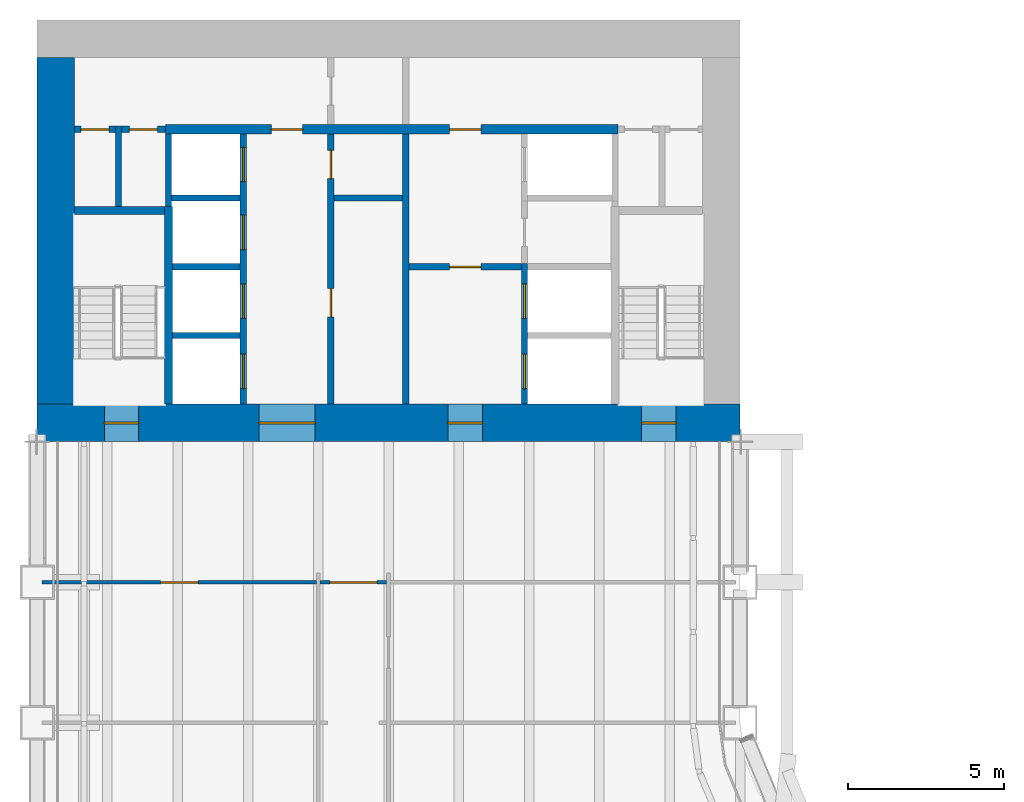
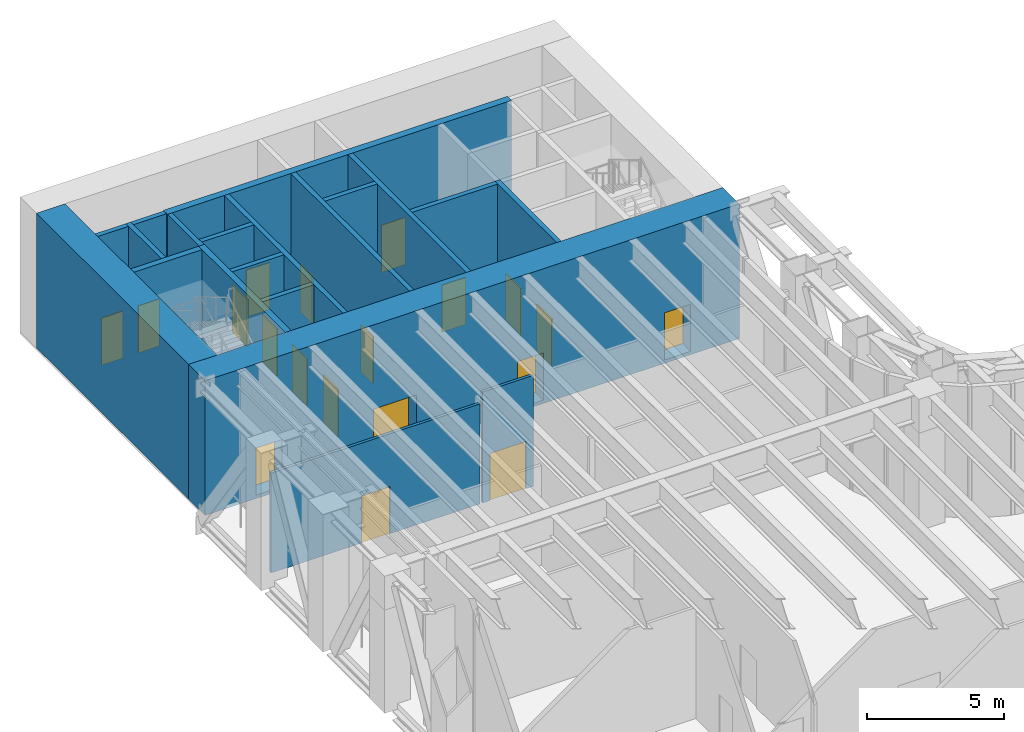
# One storey, part 10 of 19: 20 walls, 19 doors, 19 openings.
"""IFC4 building model written with IfcOpenShell, lengths in metres."""

import ifcopenshell
import ifcopenshell.guid

model = None  # the IFC model being written
_history = None  # IfcOwnerHistory: only IFC2X3 demands one
_inside = {}  # id of a spatial element -> (the spatial element, [elements in it])
_under = {}  # id of a project, library or spatial element -> (it, [spatial elements below it])
_declared = {}  # id of a project -> (the project, [libraries it declares])
_typed = {}  # id of a type object -> (the type object, [elements of that type])
_made_of = {}  # id of a material, layer set ... -> (it, [elements and type objects made of it])


def new_model(schema):
    """Start an empty IFC model of exactly this schema.

    Asked for "IFC4X3", IfcOpenShell would pick the latest addendum, in which some entities
    have other attributes; the version numbers below select the first issue.
    IFC2X3 requires an IfcOwnerHistory on every rooted entity: one is made here for all.
    """
    global model, _history
    if schema == "IFC4X3":
        model = ifcopenshell.file(schema_version=(4, 3, 0, 0))
    else:
        model = ifcopenshell.file(schema=schema)
    _inside.clear()
    _under.clear()
    _declared.clear()
    _typed.clear()
    _made_of.clear()
    _history = None
    if model.schema == "IFC2X3":
        org = make("IfcOrganization", Name="unknown")
        user = make(
            "IfcPersonAndOrganization",
            ThePerson=make("IfcPerson", FamilyName="unknown"),
            TheOrganization=org,
        )
        app = make(
            "IfcApplication",
            ApplicationDeveloper=org,
            Version="unknown",
            ApplicationFullName="unknown",
            ApplicationIdentifier="unknown",
        )
        _history = make(
            "IfcOwnerHistory",
            OwningUser=user,
            OwningApplication=app,
            ChangeAction="ADDED",
            CreationDate=0,
        )
    return model


def make(cls, **values):
    """One entity of the class cls with the attributes given. An attribute that is None is left unset."""
    return model.create_entity(
        cls, **{name: value for name, value in values.items() if value is not None}
    )


def rooted(cls, **values):
    """An entity with a GlobalId (a new one), such as an element, a storey or a relation."""
    return make(cls, GlobalId=ifcopenshell.guid.new(), OwnerHistory=_history, **values)


def si_unit(unit_type, name, prefix=None):
    """IfcSIUnit, for example si_unit("LENGTHUNIT", "METRE", prefix="MILLI")."""
    return make("IfcSIUnit", UnitType=unit_type, Prefix=prefix, Name=name)


def assignment(units):
    """IfcUnitAssignment: the units of a project."""
    return None if units is None else make("IfcUnitAssignment", Units=units)


def point(xyz):
    """IfcCartesianPoint."""
    return None if xyz is None else make("IfcCartesianPoint", Coordinates=xyz)


def direction(xyz):
    """IfcDirection."""
    return None if xyz is None else make("IfcDirection", DirectionRatios=xyz)


def frame(location, z_axis=None, x_axis=None):
    """IfcAxis2Placement3D, a coordinate frame: its origin and axes. An axis left out is left unset."""
    return make(
        "IfcAxis2Placement3D",
        Location=point(location),
        Axis=direction(z_axis),
        RefDirection=direction(x_axis),
    )


def frame_2d(location, x_axis=None):
    """IfcAxis2Placement2D, a coordinate frame in the plane: its origin and x axis."""
    return make(
        "IfcAxis2Placement2D", Location=point(location), RefDirection=direction(x_axis)
    )


def origin():
    """The frame at (0, 0, 0) with its axes left unset."""
    return frame((0.0, 0.0, 0.0))


def place(relative_to, where):
    """IfcLocalPlacement: puts the frame where relative to a parent placement (None: the world)."""
    return make(
        "IfcLocalPlacement", PlacementRelTo=relative_to, RelativePlacement=where
    )


def context(
    kind, dimensions, precision=None, world=None, true_north=None, identifier=None
):
    """IfcGeometricRepresentationContext, for example the 3D "Model" context."""
    return make(
        "IfcGeometricRepresentationContext",
        ContextIdentifier=identifier,
        ContextType=kind,
        CoordinateSpaceDimension=dimensions,
        Precision=precision,
        WorldCoordinateSystem=world,
        TrueNorth=true_north,
    )


def subcontext(parent, identifier, kind, view, scale=None):
    """IfcGeometricRepresentationSubContext, for example "Body" below "Model"."""
    return make(
        "IfcGeometricRepresentationSubContext",
        ContextIdentifier=identifier,
        ContextType=kind,
        ParentContext=parent,
        TargetScale=scale,
        TargetView=view,
    )


def project(units=None, contexts=None):
    """IfcProject with its units and contexts."""
    return rooted(
        "IfcProject",
        Name="project",
        RepresentationContexts=contexts,
        UnitsInContext=assignment(units),
    )


def spatial(cls, under=None, at=None, **own):
    """A site, building, storey or space (cls), placed at a placement, below another one or the project."""
    s = rooted(cls, ObjectPlacement=at, **own)
    if under is not None:
        _under.setdefault(under.id(), (under, []))[1].append(s)
    return s


def profile(cls, at=None, kind="AREA", **sizes):
    """A parametric profile (cls). Its sizes go by their IFC names, for example OverallWidth=200.0."""
    return make(cls, ProfileType=kind, Position=at, **sizes)


def rectangle(**sizes):
    """IfcRectangleProfileDef."""
    return profile("IfcRectangleProfileDef", **sizes)


def extrude(swept, where, along, depth):
    """IfcExtrudedAreaSolid: the profile swept, set in the frame where, extruded along a direction by depth."""
    return make(
        "IfcExtrudedAreaSolid",
        SweptArea=swept,
        Position=where,
        ExtrudedDirection=direction(along),
        Depth=depth,
    )


def shape(context_of_items, identifier, shape_type, items):
    """IfcShapeRepresentation: the items that make up one representation, for example the "Body"."""
    return make(
        "IfcShapeRepresentation",
        ContextOfItems=context_of_items,
        RepresentationIdentifier=identifier,
        RepresentationType=shape_type,
        Items=items,
    )


def material(Name=None, Category=None):
    """IfcMaterial."""
    return make("IfcMaterial", Name=Name, Category=Category)


def layer(
    of_material, thickness, ventilated=None, Name=None, Category=None, Priority=None
):
    """IfcMaterialLayer: one layer of a wall or slab, of a material (None: an air gap)."""
    return make(
        "IfcMaterialLayer",
        Material=of_material,
        LayerThickness=thickness,
        IsVentilated=ventilated,
        Name=Name,
        Category=Category,
        Priority=Priority,
    )


def layer_set(layers, Name=None):
    """IfcMaterialLayerSet."""
    return make("IfcMaterialLayerSet", MaterialLayers=layers, LayerSetName=Name)


def made_of(thing, what):
    """Note that an element or type object is made of a material, layer set ...; save() writes the relation."""
    if what is not None:
        _made_of.setdefault(what.id(), (what, []))[1].append(thing)
    return thing


def type_object(cls, material=None, **own):
    """A type object (cls), such as IfcWallType, which elements share."""
    return made_of(rooted(cls, **own), material)


def element(
    cls,
    number,
    at=None,
    inside=None,
    cuts=None,
    type_object=None,
    material=None,
    context=None,
    identifier="Body",
    shape_type=None,
    held_by="IfcProductDefinitionShape",
    body=None,
    shapes=None,
    **own,
):
    """One element of the class cls, such as IfcWall. Its Tag is "e" and its number.

    at: its placement. inside: the storey or other place that contains it. cuts: it is an
    opening in that element (IfcRelVoidsElement). A single representation is given by context,
    identifier, shape_type and body (its items); several are given by shapes. held_by: the class
    of the entity that holds the representations. save() writes the other relations.
    """
    e = rooted(cls, Tag="e%d" % number, ObjectPlacement=at, **own)
    if body is not None:
        shapes = [shape(context, identifier, shape_type, body)]
    if shapes is not None:
        e.Representation = make(held_by, Representations=shapes)
    if inside is not None:
        _inside.setdefault(inside.id(), (inside, []))[1].append(e)
    if cuts is not None:
        rooted(
            "IfcRelVoidsElement", RelatingBuildingElement=cuts, RelatedOpeningElement=e
        )
    if type_object is not None:
        _typed.setdefault(type_object.id(), (type_object, []))[1].append(e)
    return made_of(e, material)


def fill(opening, filler):
    """IfcRelFillsElement: the door or window that sits in an opening."""
    return rooted(
        "IfcRelFillsElement",
        RelatingOpeningElement=opening,
        RelatedBuildingElement=filler,
    )


def aggregate(whole, parts):
    """IfcRelAggregates: a whole, such as a stair, and the parts it consists of."""
    return rooted("IfcRelAggregates", RelatingObject=whole, RelatedObjects=parts)


def save(model, path):
    """Write the relations noted so far, then the file.

    IfcRelAggregates (storeys below a building ...), IfcRelContainedInSpatialStructure (elements
    in a storey), IfcRelDefinesByType, IfcRelAssociatesMaterial and IfcRelDeclares: one each for
    every whole, place, type object, material and project.
    """
    for whole, parts in _under.values():
        aggregate(whole, parts)
    for where, things in _inside.values():
        rooted(
            "IfcRelContainedInSpatialStructure",
            RelatedElements=things,
            RelatingStructure=where,
        )
    for kind, things in _typed.values():
        rooted("IfcRelDefinesByType", RelatedObjects=things, RelatingType=kind)
    for what, things in _made_of.values():
        rooted("IfcRelAssociatesMaterial", RelatedObjects=things, RelatingMaterial=what)
    for by, libraries in _declared.values():
        rooted("IfcRelDeclares", RelatingContext=by, RelatedDefinitions=libraries)
    model.write(path)


model = new_model("IFC4")

# Units and contexts
model_context = context("Model", 3, precision=1e-05, world=origin(), true_north=direction((0.0, 1.0)))
body_context = subcontext(model_context, "Body", "Model", "MODEL_VIEW")
ifc_project = project(units=[si_unit("LENGTHUNIT", "METRE"), si_unit("AREAUNIT", "SQUARE_METRE"), si_unit("VOLUMEUNIT", "CUBIC_METRE"), si_unit("PLANEANGLEUNIT", "RADIAN"), si_unit("MASSUNIT", "GRAM", prefix="KILO")], contexts=[model_context])

# Site, building, storey
site_placement = place(None, origin())
site = spatial("IfcSite", under=ifc_project, at=site_placement, CompositionType="ELEMENT")
building_placement = place(site_placement, origin())
building = spatial("IfcBuilding", under=site, at=building_placement, Name="Sennacour Bend Tower", CompositionType="ELEMENT")
storey_placement = place(building_placement, frame((0.0, 0.0, 77.0)))
storey = spatial("IfcBuildingStorey", under=building, at=storey_placement, Name="L17", CompositionType="ELEMENT", Elevation=77.0)

# Wall, openings, doors
ifc_material_1 = material(Name="Concrete C80/95", Category="concrete")
ifc_layer_1 = layer(ifc_material_1, 1.199951171875, Name="Concrete C80/95", Category="concrete")
ifc_layer_set_1 = layer_set([ifc_layer_1], Name="Concrete C80/95")
wall_type_1 = type_object("IfcWallType", Name="Core wall 1200 C80/95", PredefinedType="SHEAR", material=ifc_layer_set_1)
wall_1_placement = place(storey_placement, frame((0.0, 36.60009765625, -0.14990234375), z_axis=(0.0, 0.0, 1.0), x_axis=(1.0, 0.0, 0.0)))
wall_1 = element("IfcWall", 1, at=wall_1_placement, inside=storey, type_object=wall_type_1, Name="Core B wall L17 S", PredefinedType="SHEAR", context=body_context, shape_type="SweptSolid", body=[
    extrude(rectangle(XDim=22.5, YDim=1.199951171875, at=frame_2d((11.25, 0.0))), origin(), (0.0, 0.0, 1.0), 6.0),
])
opening_1_placement = place(wall_1_placement, frame((7.10009765625, 0.0, 0.14990234375)))
opening_1 = element("IfcOpeningElement", 2, at=opening_1_placement, cuts=wall_1, Name="Opening CD", PredefinedType="OPENING", context=body_context, shape_type="SweptSolid", body=[
    extrude(rectangle(XDim=1.800048828125, YDim=2.10009765625, at=frame_2d((0.89990234375, 1.050048828125))), frame((0.0, 0.60986328125, 0.0), z_axis=(0.0, -1.0, 0.0), x_axis=(1.0, 0.0, 0.0)), (0.0, 0.0, 1.0), 1.219970703125),
])
opening_2_placement = place(wall_1_placement, frame((13.14990234375, 0.0, 0.14990234375)))
opening_2 = element("IfcOpeningElement", 3, at=opening_2_placement, cuts=wall_1, Name="Opening FD", PredefinedType="OPENING", context=body_context, shape_type="SweptSolid", body=[
    extrude(rectangle(XDim=1.10009765625, YDim=2.10009765625, at=frame_2d((0.550048828125, 1.050048828125))), frame((0.0, 0.60986328125, 0.0), z_axis=(0.0, -1.0, 0.0), x_axis=(1.0, 0.0, 0.0)), (0.0, 0.0, 1.0), 1.219970703125),
])
opening_3_placement = place(wall_1_placement, frame((2.14990234375, 0.0, 0.14990234375)))
opening_3 = element("IfcOpeningElement", 4, at=opening_3_placement, cuts=wall_1, Name="Opening SD", PredefinedType="OPENING", context=body_context, shape_type="SweptSolid", body=[
    extrude(rectangle(XDim=1.10009765625, YDim=2.10009765625, at=frame_2d((0.550048828125, 1.050048828125))), frame((0.0, 0.60986328125, 0.0), z_axis=(0.0, -1.0, 0.0), x_axis=(1.0, 0.0, 0.0)), (0.0, 0.0, 1.0), 1.219970703125),
])
opening_4_placement = place(wall_1_placement, frame((19.35009765625, 0.0, 0.14990234375)))
opening_4 = element("IfcOpeningElement", 5, at=opening_4_placement, cuts=wall_1, Name="Opening SD", PredefinedType="OPENING", context=body_context, shape_type="SweptSolid", body=[
    extrude(rectangle(XDim=1.10009765625, YDim=2.10009765625, at=frame_2d((0.550048828125, 1.050048828125))), frame((0.0, 0.60986328125, 0.0), z_axis=(0.0, -1.0, 0.0), x_axis=(1.0, 0.0, 0.0)), (0.0, 0.0, 1.0), 1.219970703125),
])
ifc_material_2 = material(Name="Painted steel", Category="steel")
door_type_1 = type_object("IfcDoorType", Name="DR-FFL-1100", OperationType="NOTDEFINED", PredefinedType="DOOR", material=ifc_material_2)
door_1_placement = place(opening_2_placement, origin())
door_1 = element("IfcDoor", 6, at=door_1_placement, inside=storey, type_object=door_type_1, Name="Door", OperationType="SINGLE_SWING_RIGHT", OverallHeight=2.10009765625, OverallWidth=1.10009765625, PredefinedType="DOOR", context=body_context, shape_type="SweptSolid", body=[
    extrude(rectangle(XDim=1.10009765625, YDim=2.10009765625, at=frame_2d((0.550048828125, 1.050048828125))), frame((0.0, 0.02490234375, 0.0), z_axis=(0.0, -1.0, 0.0), x_axis=(1.0, 0.0, 0.0)), (0.0, 0.0, 1.0), 0.050048828125),
])
fill(opening_2, door_1)
door_type_2 = type_object("IfcDoorType", Name="DR-LOBBY-1800", OperationType="NOTDEFINED", PredefinedType="DOOR", material=ifc_material_2)
door_2_placement = place(opening_1_placement, origin())
door_2 = element("IfcDoor", 7, at=door_2_placement, inside=storey, type_object=door_type_2, Name="Door", OperationType="DOUBLE_DOOR_SINGLE_SWING", OverallHeight=2.10009765625, OverallWidth=1.800048828125, PredefinedType="DOOR", context=body_context, shape_type="SweptSolid", body=[
    extrude(rectangle(XDim=1.800048828125, YDim=2.10009765625, at=frame_2d((0.89990234375, 1.050048828125))), frame((0.0, 0.02490234375, 0.0), z_axis=(0.0, -1.0, 0.0), x_axis=(1.0, 0.0, 0.0)), (0.0, 0.0, 1.0), 0.050048828125),
])
fill(opening_1, door_2)
door_type_3 = type_object("IfcDoorType", Name="DR-STAIR-1100", OperationType="NOTDEFINED", PredefinedType="DOOR", material=ifc_material_2)
door_3_placement = place(opening_3_placement, origin())
door_3 = element("IfcDoor", 8, at=door_3_placement, inside=storey, type_object=door_type_3, Name="Door", OperationType="SINGLE_SWING_LEFT", OverallHeight=2.10009765625, OverallWidth=1.10009765625, PredefinedType="DOOR", context=body_context, shape_type="SweptSolid", body=[
    extrude(rectangle(XDim=1.10009765625, YDim=2.10009765625, at=frame_2d((0.550048828125, 1.050048828125))), frame((0.0, 0.02490234375, 0.0), z_axis=(0.0, -1.0, 0.0), x_axis=(1.0, 0.0, 0.0)), (0.0, 0.0, 1.0), 0.050048828125),
])
fill(opening_3, door_3)
door_4_placement = place(opening_4_placement, origin())
door_4 = element("IfcDoor", 9, at=door_4_placement, inside=storey, type_object=door_type_3, Name="Door", OperationType="SINGLE_SWING_RIGHT", OverallHeight=2.10009765625, OverallWidth=1.10009765625, PredefinedType="DOOR", context=body_context, shape_type="SweptSolid", body=[
    extrude(rectangle(XDim=1.10009765625, YDim=2.10009765625, at=frame_2d((0.550048828125, 1.050048828125))), frame((0.0, 0.02490234375, 0.0), z_axis=(0.0, -1.0, 0.0), x_axis=(1.0, 0.0, 0.0)), (0.0, 0.0, 1.0), 0.050048828125),
])
fill(opening_4, door_4)

# Wall
wall_2_placement = place(storey_placement, frame((0.60009765625, 37.199951171875, -0.14990234375), z_axis=(0.0, 0.0, 1.0), x_axis=(0.0, 1.0, 0.0)))
element("IfcWall", 10, at=wall_2_placement, inside=storey, type_object=wall_type_1, Name="Core B wall L17 W", PredefinedType="SHEAR", context=body_context, shape_type="SweptSolid", body=[
    extrude(rectangle(XDim=11.10009765625, YDim=1.199951171875, at=frame_2d((5.550048828125, 0.0))), origin(), (0.0, 0.0, 1.0), 6.0),
])

# Wall, opening, door
ifc_material_3 = material(Name="Plasterboard partition on steel studs", Category="steel")
ifc_layer_2 = layer(ifc_material_3, 0.1201171875, Name="Plasterboard partition on steel studs", Category="steel")
ifc_layer_set_2 = layer_set([ifc_layer_2], Name="Plasterboard partition on steel studs")
wall_type_2 = type_object("IfcWallType", Name="Partition 120 EI 30", PredefinedType="PARTITIONING", material=ifc_layer_set_2)
wall_3_placement = place(storey_placement, frame((9.06005859375, 31.5, 0.0), z_axis=(0.0, 0.0, 1.0), x_axis=(1.0, 0.0, 0.0)))
wall_3 = element("IfcWall", 11, at=wall_3_placement, inside=storey, type_object=wall_type_2, Name="P-L17-W068ab", PredefinedType="PARTITIONING", context=body_context, shape_type="SweptSolid", body=[
    extrude(rectangle(XDim=2.1298828125, YDim=0.1201171875, at=frame_2d((1.06494140625, 0.0))), origin(), (0.0, 0.0, 1.0), 4.93798828125),
])
opening_5_placement = place(wall_3_placement, frame((0.31494140625, 0.0, 0.0)))
opening_5 = element("IfcOpeningElement", 12, at=opening_5_placement, cuts=wall_3, Name="Opening KD", PredefinedType="OPENING", context=body_context, shape_type="SweptSolid", body=[
    extrude(rectangle(XDim=1.5, YDim=2.10009765625, at=frame_2d((0.75, 1.050048828125))), frame((0.0, 0.070068359375, 0.0), z_axis=(0.0, -1.0, 0.0), x_axis=(1.0, 0.0, 0.0)), (0.0, 0.0, 1.0), 0.14013671875),
])
door_type_4 = type_object("IfcDoorType", Name="DR-CORRIDOR-1500", OperationType="NOTDEFINED", PredefinedType="DOOR", material=ifc_material_2)
door_5_placement = place(opening_5_placement, origin())
door_5 = element("IfcDoor", 13, at=door_5_placement, inside=storey, type_object=door_type_4, Name="Door", OperationType="SINGLE_SWING_LEFT", OverallHeight=2.10009765625, OverallWidth=1.5, PredefinedType="DOOR", context=body_context, shape_type="SweptSolid", body=[
    extrude(rectangle(XDim=1.5, YDim=2.10009765625, at=frame_2d((0.75, 1.050048828125))), frame((0.0, 0.02490234375, 0.0), z_axis=(0.0, -1.0, 0.0), x_axis=(1.0, 0.0, 0.0)), (0.0, 0.0, 1.0), 0.050048828125),
])
fill(opening_5, door_5)

ifc_layer_3 = layer(ifc_material_3, 0.1201171875, Name="Plasterboard partition on steel studs", Category="steel")
ifc_layer_set_3 = layer_set([ifc_layer_3], Name="Plasterboard partition on steel studs")
wall_type_3 = type_object("IfcWallType", Name="Partition 120 EI 60", PredefinedType="PARTITIONING", material=ifc_layer_set_3)
wall_4_placement = place(storey_placement, frame((0.14990234375, 31.5, 0.0), z_axis=(0.0, 0.0, 1.0), x_axis=(1.0, 0.0, 0.0)))
wall_4 = element("IfcWall", 14, at=wall_4_placement, inside=storey, type_object=wall_type_3, Name="P-L17-W068aa", PredefinedType="PARTITIONING", context=body_context, shape_type="SweptSolid", body=[
    extrude(rectangle(XDim=8.7900390625, YDim=0.1201171875, at=frame_2d((4.39501953125, 0.0))), origin(), (0.0, 0.0, 1.0), 4.449951171875),
])
opening_6_placement = place(wall_4_placement, frame((3.80517578125, 0.0, 0.0)))
opening_6 = element("IfcOpeningElement", 15, at=opening_6_placement, cuts=wall_4, Name="Opening CD3", PredefinedType="OPENING", context=body_context, shape_type="SweptSolid", body=[
    extrude(rectangle(XDim=1.199951171875, YDim=2.10009765625, at=frame_2d((0.60009765625, 1.050048828125))), frame((0.0, 0.070068359375, 0.0), z_axis=(0.0, -1.0, 0.0), x_axis=(1.0, 0.0, 0.0)), (0.0, 0.0, 1.0), 0.14013671875),
])
door_type_5 = type_object("IfcDoorType", Name="DR-LOBBY-1200", OperationType="NOTDEFINED", PredefinedType="DOOR", material=ifc_material_2)
door_6_placement = place(opening_6_placement, origin())
door_6 = element("IfcDoor", 16, at=door_6_placement, inside=storey, type_object=door_type_5, Name="Door", OperationType="SINGLE_SWING_LEFT", OverallHeight=2.10009765625, OverallWidth=1.199951171875, PredefinedType="DOOR", context=body_context, shape_type="SweptSolid", body=[
    extrude(rectangle(XDim=1.199951171875, YDim=2.10009765625, at=frame_2d((0.60009765625, 1.050048828125))), frame((0.0, 0.02490234375, 0.0), z_axis=(0.0, -1.0, 0.0), x_axis=(1.0, 0.0, 0.0)), (0.0, 0.0, 1.0), 0.050048828125),
])
fill(opening_6, door_6)

# Wall
ifc_material_4 = material(Name="Fire-rated plasterboard partition on steel studs", Category="steel")
ifc_layer_4 = layer(ifc_material_4, 0.199951171875, Name="Fire-rated plasterboard partition on steel studs", Category="steel")
ifc_layer_set_4 = layer_set([ifc_layer_4], Name="Fire-rated plasterboard partition on steel studs")
wall_type_4 = type_object("IfcWallType", Name="Rated partition 200", PredefinedType="PARTITIONING", material=ifc_layer_set_4)
wall_5_placement = place(storey_placement, frame((2.60009765625, 43.52490234375, 0.0), z_axis=(0.0, 0.0, 1.0), x_axis=(0.0, 1.0, 0.0)))
element("IfcWall", 17, at=wall_5_placement, inside=storey, type_object=wall_type_4, Name="P-L17-W003", PredefinedType="PARTITIONING", context=body_context, shape_type="SweptSolid", body=[
    extrude(rectangle(XDim=2.5751953125, YDim=0.199951171875, at=frame_2d((1.28759765625, 0.0))), origin(), (0.0, 0.0, 1.0), 5.85009765625),
])

# Wall, openings, doors
wall_6_placement = place(storey_placement, frame((9.39990234375, 37.199951171875, 0.0), z_axis=(0.0, 0.0, 1.0), x_axis=(0.0, 1.0, 0.0)))
wall_6 = element("IfcWall", 18, at=wall_6_placement, inside=storey, type_object=wall_type_4, Name="P-L17-W011a", PredefinedType="PARTITIONING", context=body_context, shape_type="SweptSolid", body=[
    extrude(rectangle(XDim=8.650146484375, YDim=0.199951171875, at=frame_2d((4.3251953125, 0.0))), origin(), (0.0, 0.0, 1.0), 5.85009765625),
])
opening_7_placement = place(wall_6_placement, frame((2.800048828125, 0.0, 0.0)))
opening_7 = element("IfcOpeningElement", 19, at=opening_7_placement, cuts=wall_6, Name="Opening SV", PredefinedType="OPENING", context=body_context, shape_type="SweptSolid", body=[
    extrude(rectangle(XDim=0.89990234375, YDim=2.10009765625, at=frame_2d((0.449951171875, 1.050048828125))), frame((0.0, 0.10986328125, 0.0), z_axis=(0.0, -1.0, 0.0), x_axis=(1.0, 0.0, 0.0)), (0.0, 0.0, 1.0), 0.219970703125),
])
opening_8_placement = place(wall_6_placement, frame((7.22509765625, 0.0, 0.0)))
opening_8 = element("IfcOpeningElement", 20, at=opening_8_placement, cuts=wall_6, Name="Opening SV", PredefinedType="OPENING", context=body_context, shape_type="SweptSolid", body=[
    extrude(rectangle(XDim=0.89990234375, YDim=2.10009765625, at=frame_2d((0.449951171875, 1.050048828125))), frame((0.0, 0.10986328125, 0.0), z_axis=(0.0, -1.0, 0.0), x_axis=(1.0, 0.0, 0.0)), (0.0, 0.0, 1.0), 0.219970703125),
])
door_type_6 = type_object("IfcDoorType", Name="DR-SERVICE-900", OperationType="NOTDEFINED", PredefinedType="DOOR", material=ifc_material_2)
door_7_placement = place(opening_7_placement, origin())
door_7 = element("IfcDoor", 21, at=door_7_placement, inside=storey, type_object=door_type_6, Name="Door", OperationType="SINGLE_SWING_LEFT", OverallHeight=2.10009765625, OverallWidth=0.89990234375, PredefinedType="DOOR", context=body_context, shape_type="SweptSolid", body=[
    extrude(rectangle(XDim=0.89990234375, YDim=2.10009765625, at=frame_2d((0.449951171875, 1.050048828125))), frame((0.0, 0.02490234375, 0.0), z_axis=(0.0, -1.0, 0.0), x_axis=(1.0, 0.0, 0.0)), (0.0, 0.0, 1.0), 0.050048828125),
])
fill(opening_7, door_7)
door_8_placement = place(opening_8_placement, origin())
door_8 = element("IfcDoor", 22, at=door_8_placement, inside=storey, type_object=door_type_6, Name="Door", OperationType="SINGLE_SWING_RIGHT", OverallHeight=2.10009765625, OverallWidth=0.89990234375, PredefinedType="DOOR", context=body_context, shape_type="SweptSolid", body=[
    extrude(rectangle(XDim=0.89990234375, YDim=2.10009765625, at=frame_2d((0.449951171875, 1.050048828125))), frame((0.0, 0.02490234375, 0.0), z_axis=(0.0, -1.0, 0.0), x_axis=(1.0, 0.0, 0.0)), (0.0, 0.0, 1.0), 0.050048828125),
])
fill(opening_8, door_8)

# Walls
wall_7_placement = place(storey_placement, frame((11.800048828125, 37.199951171875, 0.0), z_axis=(0.0, 0.0, 1.0), x_axis=(0.0, 1.0, 0.0)))
element("IfcWall", 23, at=wall_7_placement, inside=storey, type_object=wall_type_4, Name="P-L17-W013a", PredefinedType="PARTITIONING", context=body_context, shape_type="SweptSolid", body=[
    extrude(rectangle(XDim=8.650146484375, YDim=0.199951171875, at=frame_2d((4.3251953125, 0.0))), origin(), (0.0, 0.0, 1.0), 5.85009765625),
])
wall_8_placement = place(storey_placement, frame((9.5, 43.800048828125, 0.0), z_axis=(0.0, 0.0, 1.0), x_axis=(1.0, 0.0, 0.0)))
element("IfcWall", 24, at=wall_8_placement, inside=storey, type_object=wall_type_4, Name="P-L17-W077", PredefinedType="PARTITIONING", context=body_context, shape_type="SweptSolid", body=[
    extrude(rectangle(XDim=2.199951171875, YDim=0.199951171875, at=frame_2d((1.10009765625, 0.0))), origin(), (0.0, 0.0, 1.0), 5.85009765625),
])

# Wall, opening, door
wall_9_placement = place(storey_placement, frame((1.199951171875, 46.0, 0.0), z_axis=(0.0, 0.0, 1.0), x_axis=(1.0, 0.0, 0.0)))
wall_9 = element("IfcWall", 25, at=wall_9_placement, inside=storey, type_object=wall_type_4, Name="P-L17-W079a", PredefinedType="PARTITIONING", context=body_context, shape_type="SweptSolid", body=[
    extrude(rectangle(XDim=1.300048828125, YDim=0.199951171875, at=frame_2d((0.64990234375, 0.0))), origin(), (0.0, 0.0, 1.0), 5.85009765625),
])
opening_9_placement = place(wall_9_placement, frame((0.199951171875, 0.0, 0.0)))
opening_9 = element("IfcOpeningElement", 26, at=opening_9_placement, cuts=wall_9, Name="Opening SV", PredefinedType="OPENING", context=body_context, shape_type="SweptSolid", body=[
    extrude(rectangle(XDim=0.89990234375, YDim=2.10009765625, at=frame_2d((0.449951171875, 1.050048828125))), frame((0.0, 0.10986328125, 0.0), z_axis=(0.0, -1.0, 0.0), x_axis=(1.0, 0.0, 0.0)), (0.0, 0.0, 1.0), 0.219970703125),
])
door_9_placement = place(opening_9_placement, origin())
door_9 = element("IfcDoor", 27, at=door_9_placement, inside=storey, type_object=door_type_6, Name="Door", OperationType="SINGLE_SWING_LEFT", OverallHeight=2.10009765625, OverallWidth=0.89990234375, PredefinedType="DOOR", context=body_context, shape_type="SweptSolid", body=[
    extrude(rectangle(XDim=0.89990234375, YDim=2.10009765625, at=frame_2d((0.449951171875, 1.050048828125))), frame((0.0, 0.02490234375, 0.0), z_axis=(0.0, -1.0, 0.0), x_axis=(1.0, 0.0, 0.0)), (0.0, 0.0, 1.0), 0.050048828125),
])
fill(opening_9, door_9)

wall_10_placement = place(storey_placement, frame((2.699951171875, 46.0, 0.0), z_axis=(0.0, 0.0, 1.0), x_axis=(1.0, 0.0, 0.0)))
wall_10 = element("IfcWall", 28, at=wall_10_placement, inside=storey, type_object=wall_type_4, Name="P-L17-W079b", PredefinedType="PARTITIONING", context=body_context, shape_type="SweptSolid", body=[
    extrude(rectangle(XDim=1.400146484375, YDim=0.199951171875, at=frame_2d((0.7001953125, 0.0))), origin(), (0.0, 0.0, 1.0), 5.85009765625),
])
opening_10_placement = place(wall_10_placement, frame((0.25, 0.0, 0.0)))
opening_10 = element("IfcOpeningElement", 29, at=opening_10_placement, cuts=wall_10, Name="Opening WD", PredefinedType="OPENING", context=body_context, shape_type="SweptSolid", body=[
    extrude(rectangle(XDim=0.89990234375, YDim=2.10009765625, at=frame_2d((0.449951171875, 1.050048828125))), frame((0.0, 0.10986328125, 0.0), z_axis=(0.0, -1.0, 0.0), x_axis=(1.0, 0.0, 0.0)), (0.0, 0.0, 1.0), 0.219970703125),
])
ifc_material_5 = material(Name="Timber", Category="wood")
door_type_7 = type_object("IfcDoorType", Name="DR-WC-900", OperationType="NOTDEFINED", PredefinedType="DOOR", material=ifc_material_5)
door_10_placement = place(opening_10_placement, origin())
door_10 = element("IfcDoor", 30, at=door_10_placement, inside=storey, type_object=door_type_7, Name="Door", OperationType="SINGLE_SWING_LEFT", OverallHeight=2.10009765625, OverallWidth=0.89990234375, PredefinedType="DOOR", context=body_context, shape_type="SweptSolid", body=[
    extrude(rectangle(XDim=0.89990234375, YDim=2.10009765625, at=frame_2d((0.449951171875, 1.050048828125))), frame((0.0, 0.02490234375, 0.0), z_axis=(0.0, -1.0, 0.0), x_axis=(1.0, 0.0, 0.0)), (0.0, 0.0, 1.0), 0.050048828125),
])
fill(opening_10, door_10)

ifc_layer_5 = layer(ifc_material_4, 0.199951171875, Name="Fire-rated plasterboard partition on steel studs", Category="steel")
ifc_layer_set_5 = layer_set([ifc_layer_5], Name="Fire-rated plasterboard partition on steel studs")
wall_type_5 = type_object("IfcWallType", Name="Rated partition 200 EI 90", PredefinedType="PARTITIONING", material=ifc_layer_set_5)
wall_11_placement = place(storey_placement, frame((11.89990234375, 41.60009765625, 0.0), z_axis=(0.0, 0.0, 1.0), x_axis=(1.0, 0.0, 0.0)))
wall_11 = element("IfcWall", 31, at=wall_11_placement, inside=storey, type_object=wall_type_5, Name="P-L17-W072", PredefinedType="PARTITIONING", context=body_context, shape_type="SweptSolid", body=[
    extrude(rectangle(XDim=3.60009765625, YDim=0.199951171875, at=frame_2d((1.800048828125, 0.0))), origin(), (0.0, 0.0, 1.0), 5.85009765625),
])
opening_11_placement = place(wall_11_placement, frame((1.300048828125, 0.0, 0.0)))
opening_11 = element("IfcOpeningElement", 32, at=opening_11_placement, cuts=wall_11, Name="Opening FD2", PredefinedType="OPENING", context=body_context, shape_type="SweptSolid", body=[
    extrude(rectangle(XDim=1.0, YDim=2.10009765625, at=frame_2d((0.5, 1.050048828125))), frame((0.0, 0.10986328125, 0.0), z_axis=(0.0, -1.0, 0.0), x_axis=(1.0, 0.0, 0.0)), (0.0, 0.0, 1.0), 0.219970703125),
])
door_type_8 = type_object("IfcDoorType", Name="DR-FFL-1000", OperationType="NOTDEFINED", PredefinedType="DOOR", material=ifc_material_2)
door_11_placement = place(opening_11_placement, origin())
door_11 = element("IfcDoor", 33, at=door_11_placement, inside=storey, type_object=door_type_8, Name="Door", OperationType="SINGLE_SWING_LEFT", OverallHeight=2.10009765625, OverallWidth=1.0, PredefinedType="DOOR", context=body_context, shape_type="SweptSolid", body=[
    extrude(rectangle(XDim=1.0, YDim=2.10009765625, at=frame_2d((0.5, 1.050048828125))), frame((0.0, 0.02490234375, 0.0), z_axis=(0.0, -1.0, 0.0), x_axis=(1.0, 0.0, 0.0)), (0.0, 0.0, 1.0), 0.050048828125),
])
fill(opening_11, door_11)

# Wall
ifc_material_6 = material(Name="Concrete C50/60", Category="concrete")
ifc_layer_6 = layer(ifc_material_6, 0.199951171875, Name="Concrete C50/60", Category="concrete")
ifc_layer_set_6 = layer_set([ifc_layer_6], Name="Concrete C50/60")
wall_type_6 = type_object("IfcWallType", Name="Shaft wall 200", PredefinedType="SOLIDWALL", material=ifc_layer_set_6)
wall_12_placement = place(storey_placement, frame((4.199951171875, 43.52490234375, 0.0), z_axis=(0.0, 0.0, 1.0), x_axis=(0.0, 1.0, 0.0)))
element("IfcWall", 34, at=wall_12_placement, inside=storey, type_object=wall_type_6, Name="P-L17-W005", PredefinedType="SOLIDWALL", context=body_context, shape_type="SweptSolid", body=[
    extrude(rectangle(XDim=2.3251953125, YDim=0.199951171875, at=frame_2d((1.16259765625, 0.0))), origin(), (0.0, 0.0, 1.0), 5.85009765625),
])

# Wall, openings, doors
wall_13_placement = place(storey_placement, frame((6.60009765625, 37.199951171875, 0.0), z_axis=(0.0, 0.0, 1.0), x_axis=(0.0, 1.0, 0.0)))
wall_13 = element("IfcWall", 35, at=wall_13_placement, inside=storey, type_object=wall_type_6, Name="P-L17-W006", PredefinedType="SOLIDWALL", context=body_context, shape_type="SweptSolid", body=[
    extrude(rectangle(XDim=8.650146484375, YDim=0.199951171875, at=frame_2d((4.3251953125, 0.0))), origin(), (0.0, 0.0, 1.0), 5.85009765625),
])
opening_12_placement = place(wall_13_placement, frame((0.5, 0.0, 0.011962890625)))
opening_12 = element("IfcOpeningElement", 36, at=opening_12_placement, cuts=wall_13, Name="Opening LD", PredefinedType="OPENING", context=body_context, shape_type="SweptSolid", body=[
    extrude(rectangle(XDim=1.10009765625, YDim=2.10009765625, at=frame_2d((0.550048828125, 1.050048828125))), frame((0.0, 0.10986328125, 0.0), z_axis=(0.0, -1.0, 0.0), x_axis=(1.0, 0.0, 0.0)), (0.0, 0.0, 1.0), 0.219970703125),
])
opening_13_placement = place(wall_13_placement, frame((2.75, 0.0, 0.011962890625)))
opening_13 = element("IfcOpeningElement", 37, at=opening_13_placement, cuts=wall_13, Name="Opening LD", PredefinedType="OPENING", context=body_context, shape_type="SweptSolid", body=[
    extrude(rectangle(XDim=1.10009765625, YDim=2.10009765625, at=frame_2d((0.550048828125, 1.050048828125))), frame((0.0, 0.10986328125, 0.0), z_axis=(0.0, -1.0, 0.0), x_axis=(1.0, 0.0, 0.0)), (0.0, 0.0, 1.0), 0.219970703125),
])
opening_14_placement = place(wall_13_placement, frame((4.949951171875, 0.0, 0.011962890625)))
opening_14 = element("IfcOpeningElement", 38, at=opening_14_placement, cuts=wall_13, Name="Opening LD", PredefinedType="OPENING", context=body_context, shape_type="SweptSolid", body=[
    extrude(rectangle(XDim=1.10009765625, YDim=2.10009765625, at=frame_2d((0.550048828125, 1.050048828125))), frame((0.0, 0.10986328125, 0.0), z_axis=(0.0, -1.0, 0.0), x_axis=(1.0, 0.0, 0.0)), (0.0, 0.0, 1.0), 0.219970703125),
])
opening_15_placement = place(wall_13_placement, frame((7.125, 0.0, 0.011962890625)))
opening_15 = element("IfcOpeningElement", 39, at=opening_15_placement, cuts=wall_13, Name="Opening LD", PredefinedType="OPENING", context=body_context, shape_type="SweptSolid", body=[
    extrude(rectangle(XDim=1.10009765625, YDim=2.10009765625, at=frame_2d((0.550048828125, 1.050048828125))), frame((0.0, 0.10986328125, 0.0), z_axis=(0.0, -1.0, 0.0), x_axis=(1.0, 0.0, 0.0)), (0.0, 0.0, 1.0), 0.219970703125),
])
ifc_material_7 = material(Name="Stainless steel", Category="steel")
door_type_9 = type_object("IfcDoorType", Name="DR-LANDING-1100", OperationType="NOTDEFINED", PredefinedType="DOOR", material=ifc_material_7)
door_12_placement = place(opening_12_placement, origin())
door_12 = element("IfcDoor", 40, at=door_12_placement, inside=storey, type_object=door_type_9, Name="Lift landing door LB1", OperationType="SLIDING_TO_LEFT", OverallHeight=2.10009765625, OverallWidth=1.10009765625, PredefinedType="DOOR", context=body_context, shape_type="SweptSolid", body=[
    extrude(rectangle(XDim=1.10009765625, YDim=2.10009765625, at=frame_2d((0.550048828125, 1.050048828125))), frame((0.0, 0.02490234375, 0.0), z_axis=(0.0, -1.0, 0.0), x_axis=(1.0, 0.0, 0.0)), (0.0, 0.0, 1.0), 0.050048828125),
])
fill(opening_12, door_12)
door_13_placement = place(opening_13_placement, origin())
door_13 = element("IfcDoor", 41, at=door_13_placement, inside=storey, type_object=door_type_9, Name="Lift landing door LB2", OperationType="SLIDING_TO_RIGHT", OverallHeight=2.10009765625, OverallWidth=1.10009765625, PredefinedType="DOOR", context=body_context, shape_type="SweptSolid", body=[
    extrude(rectangle(XDim=1.10009765625, YDim=2.10009765625, at=frame_2d((0.550048828125, 1.050048828125))), frame((0.0, 0.02490234375, 0.0), z_axis=(0.0, -1.0, 0.0), x_axis=(1.0, 0.0, 0.0)), (0.0, 0.0, 1.0), 0.050048828125),
])
fill(opening_13, door_13)
door_14_placement = place(opening_14_placement, origin())
door_14 = element("IfcDoor", 42, at=door_14_placement, inside=storey, type_object=door_type_9, Name="Lift landing door LB3", OperationType="SLIDING_TO_LEFT", OverallHeight=2.10009765625, OverallWidth=1.10009765625, PredefinedType="DOOR", context=body_context, shape_type="SweptSolid", body=[
    extrude(rectangle(XDim=1.10009765625, YDim=2.10009765625, at=frame_2d((0.550048828125, 1.050048828125))), frame((0.0, 0.02490234375, 0.0), z_axis=(0.0, -1.0, 0.0), x_axis=(1.0, 0.0, 0.0)), (0.0, 0.0, 1.0), 0.050048828125),
])
fill(opening_14, door_14)
door_15_placement = place(opening_15_placement, origin())
door_15 = element("IfcDoor", 43, at=door_15_placement, inside=storey, type_object=door_type_9, Name="Lift landing door LB4", OperationType="SLIDING_TO_RIGHT", OverallHeight=2.10009765625, OverallWidth=1.10009765625, PredefinedType="DOOR", context=body_context, shape_type="SweptSolid", body=[
    extrude(rectangle(XDim=1.10009765625, YDim=2.10009765625, at=frame_2d((0.550048828125, 1.050048828125))), frame((0.0, 0.02490234375, 0.0), z_axis=(0.0, -1.0, 0.0), x_axis=(1.0, 0.0, 0.0)), (0.0, 0.0, 1.0), 0.050048828125),
])
fill(opening_15, door_15)

wall_14_placement = place(storey_placement, frame((15.60009765625, 37.199951171875, 0.0), z_axis=(0.0, 0.0, 1.0), x_axis=(0.0, 1.0, 0.0)))
wall_14 = element("IfcWall", 44, at=wall_14_placement, inside=storey, type_object=wall_type_6, Name="P-L17-W014", PredefinedType="SOLIDWALL", context=body_context, shape_type="SweptSolid", body=[
    extrude(rectangle(XDim=4.5, YDim=0.199951171875, at=frame_2d((2.25, 0.0))), origin(), (0.0, 0.0, 1.0), 5.85009765625),
])
opening_16_placement = place(wall_14_placement, frame((0.5, 0.0, 0.011962890625)))
opening_16 = element("IfcOpeningElement", 45, at=opening_16_placement, cuts=wall_14, Name="Opening FLD", PredefinedType="OPENING", context=body_context, shape_type="SweptSolid", body=[
    extrude(rectangle(XDim=1.10009765625, YDim=2.10009765625, at=frame_2d((0.550048828125, 1.050048828125))), frame((0.0, 0.10986328125, 0.0), z_axis=(0.0, -1.0, 0.0), x_axis=(1.0, 0.0, 0.0)), (0.0, 0.0, 1.0), 0.219970703125),
])
opening_17_placement = place(wall_14_placement, frame((2.75, 0.0, 0.011962890625)))
opening_17 = element("IfcOpeningElement", 46, at=opening_17_placement, cuts=wall_14, Name="Opening FLD", PredefinedType="OPENING", context=body_context, shape_type="SweptSolid", body=[
    extrude(rectangle(XDim=1.10009765625, YDim=2.10009765625, at=frame_2d((0.550048828125, 1.050048828125))), frame((0.0, 0.10986328125, 0.0), z_axis=(0.0, -1.0, 0.0), x_axis=(1.0, 0.0, 0.0)), (0.0, 0.0, 1.0), 0.219970703125),
])
door_type_10 = type_object("IfcDoorType", Name="DR-FF-LANDING-1100", OperationType="NOTDEFINED", PredefinedType="DOOR", material=ifc_material_7)
door_16_placement = place(opening_16_placement, origin())
door_16 = element("IfcDoor", 47, at=door_16_placement, inside=storey, type_object=door_type_10, Name="Fire service lift landing door FB1", OperationType="SLIDING_TO_LEFT", OverallHeight=2.10009765625, OverallWidth=1.10009765625, PredefinedType="DOOR", context=body_context, shape_type="SweptSolid", body=[
    extrude(rectangle(XDim=1.10009765625, YDim=2.10009765625, at=frame_2d((0.550048828125, 1.050048828125))), frame((0.0, 0.02490234375, 0.0), z_axis=(0.0, -1.0, 0.0), x_axis=(1.0, 0.0, 0.0)), (0.0, 0.0, 1.0), 0.050048828125),
])
fill(opening_16, door_16)
door_17_placement = place(opening_17_placement, origin())
door_17 = element("IfcDoor", 48, at=door_17_placement, inside=storey, type_object=door_type_10, Name="Fire service lift landing door FB2", OperationType="SLIDING_TO_RIGHT", OverallHeight=2.10009765625, OverallWidth=1.10009765625, PredefinedType="DOOR", context=body_context, shape_type="SweptSolid", body=[
    extrude(rectangle(XDim=1.10009765625, YDim=2.10009765625, at=frame_2d((0.550048828125, 1.050048828125))), frame((0.0, 0.02490234375, 0.0), z_axis=(0.0, -1.0, 0.0), x_axis=(1.0, 0.0, 0.0)), (0.0, 0.0, 1.0), 0.050048828125),
])
fill(opening_17, door_17)

# Walls
for number, where, z_axis, x_axis, name in (
    (49, (4.324951171875, 39.39990234375, 0.0), (0.0, 0.0, 1.0), (1.0, 0.0, 0.0), "P-L17-W069"),
    (50, (4.324951171875, 41.60009765625, 0.0), (0.0, 0.0, 1.0), (1.0, 0.0, 0.0), "P-L17-W071"),
):
    element("IfcWall", number, at=place(storey_placement, frame(where, z_axis=z_axis, x_axis=x_axis)), inside=storey, type_object=wall_type_6, Name=name, PredefinedType="SOLIDWALL", context=body_context, shape_type="SweptSolid", body=[
        extrude(rectangle(XDim=2.175048828125, YDim=0.199951171875, at=frame_2d((1.08740234375, 0.0))), origin(), (0.0, 0.0, 1.0), 5.85009765625),
    ])
wall_15_placement = place(storey_placement, frame((4.300048828125, 43.800048828125, 0.0), z_axis=(0.0, 0.0, 1.0), x_axis=(1.0, 0.0, 0.0)))
element("IfcWall", 51, at=wall_15_placement, inside=storey, type_object=wall_type_6, Name="P-L17-W076", PredefinedType="SOLIDWALL", context=body_context, shape_type="SweptSolid", body=[
    extrude(rectangle(XDim=2.199951171875, YDim=0.199951171875, at=frame_2d((1.10009765625, 0.0))), origin(), (0.0, 0.0, 1.0), 5.85009765625),
])

# Wall, openings, doors
ifc_material_8 = material(Name="Concrete C60/75", Category="concrete")
ifc_layer_7 = layer(ifc_material_8, 0.300048828125, Name="Concrete C60/75", Category="concrete")
ifc_layer_set_7 = layer_set([ifc_layer_7], Name="Concrete C60/75")
wall_type_7 = type_object("IfcWallType", Name="Spine wall 300", PredefinedType="SHEAR", material=ifc_layer_set_7)
wall_16_placement = place(storey_placement, frame((4.10009765625, 46.0, 0.0), z_axis=(0.0, 0.0, 1.0), x_axis=(1.0, 0.0, 0.0)))
wall_16 = element("IfcWall", 52, at=wall_16_placement, inside=storey, type_object=wall_type_7, Name="P-L17-W080", PredefinedType="SHEAR", context=body_context, shape_type="SweptSolid", body=[
    extrude(rectangle(XDim=14.5, YDim=0.300048828125, at=frame_2d((7.25, 0.0))), origin(), (0.0, 0.0, 1.0), 5.85009765625),
])
opening_18_placement = place(wall_16_placement, frame((3.39990234375, 0.0, 0.0)))
opening_18 = element("IfcOpeningElement", 53, at=opening_18_placement, cuts=wall_16, Name="Opening CD2", PredefinedType="OPENING", context=body_context, shape_type="SweptSolid", body=[
    extrude(rectangle(XDim=1.0, YDim=2.10009765625, at=frame_2d((0.5, 1.050048828125))), frame((0.0, 0.16015625, 0.0), z_axis=(0.0, -1.0, 0.0), x_axis=(1.0, 0.0, 0.0)), (0.0, 0.0, 1.0), 0.320068359375),
])
opening_19_placement = place(wall_16_placement, frame((9.099853515625, 0.0, 0.0)))
opening_19 = element("IfcOpeningElement", 54, at=opening_19_placement, cuts=wall_16, Name="Opening CD2", PredefinedType="OPENING", context=body_context, shape_type="SweptSolid", body=[
    extrude(rectangle(XDim=1.0, YDim=2.10009765625, at=frame_2d((0.5, 1.050048828125))), frame((0.0, 0.16015625, 0.0), z_axis=(0.0, -1.0, 0.0), x_axis=(1.0, 0.0, 0.0)), (0.0, 0.0, 1.0), 0.320068359375),
])
door_type_11 = type_object("IfcDoorType", Name="DR-LOBBY-1000", OperationType="NOTDEFINED", PredefinedType="DOOR", material=ifc_material_2)
door_18_placement = place(opening_18_placement, origin())
door_18 = element("IfcDoor", 55, at=door_18_placement, inside=storey, type_object=door_type_11, Name="Door", OperationType="SINGLE_SWING_LEFT", OverallHeight=2.10009765625, OverallWidth=1.0, PredefinedType="DOOR", context=body_context, shape_type="SweptSolid", body=[
    extrude(rectangle(XDim=1.0, YDim=2.10009765625, at=frame_2d((0.5, 1.050048828125))), frame((0.0, 0.02490234375, 0.0), z_axis=(0.0, -1.0, 0.0), x_axis=(1.0, 0.0, 0.0)), (0.0, 0.0, 1.0), 0.050048828125),
])
fill(opening_18, door_18)
door_19_placement = place(opening_19_placement, origin())
door_19 = element("IfcDoor", 56, at=door_19_placement, inside=storey, type_object=door_type_11, Name="Door", OperationType="SINGLE_SWING_RIGHT", OverallHeight=2.10009765625, OverallWidth=1.0, PredefinedType="DOOR", context=body_context, shape_type="SweptSolid", body=[
    extrude(rectangle(XDim=1.0, YDim=2.10009765625, at=frame_2d((0.5, 1.050048828125))), frame((0.0, 0.02490234375, 0.0), z_axis=(0.0, -1.0, 0.0), x_axis=(1.0, 0.0, 0.0)), (0.0, 0.0, 1.0), 0.050048828125),
])
fill(opening_19, door_19)

# Walls
ifc_layer_8 = layer(ifc_material_8, 0.25, Name="Concrete C60/75", Category="concrete")
ifc_layer_set_8 = layer_set([ifc_layer_8], Name="Concrete C60/75")
wall_type_8 = type_object("IfcWallType", Name="Stair wall 250", PredefinedType="SHEAR", material=ifc_layer_set_8)
wall_17_placement = place(storey_placement, frame((4.199951171875, 37.199951171875, 0.0), z_axis=(0.0, 0.0, 1.0), x_axis=(0.0, 1.0, 0.0)))
element("IfcWall", 57, at=wall_17_placement, inside=storey, type_object=wall_type_8, Name="P-L17-W004", PredefinedType="SHEAR", context=body_context, shape_type="SweptSolid", body=[
    extrude(rectangle(XDim=6.324951171875, YDim=0.25, at=frame_2d((3.16259765625, 0.0))), origin(), (0.0, 0.0, 1.0), 5.85009765625),
])
wall_18_placement = place(storey_placement, frame((1.199951171875, 43.39990234375, 0.0), z_axis=(0.0, 0.0, 1.0), x_axis=(1.0, 0.0, 0.0)))
element("IfcWall", 58, at=wall_18_placement, inside=storey, type_object=wall_type_8, Name="P-L17-W074", PredefinedType="SHEAR", context=body_context, shape_type="SweptSolid", body=[
    extrude(rectangle(XDim=2.875, YDim=0.25, at=frame_2d((1.4375, 0.0))), origin(), (0.0, 0.0, 1.0), 5.85009765625),
])

save(model, "model.ifc")
